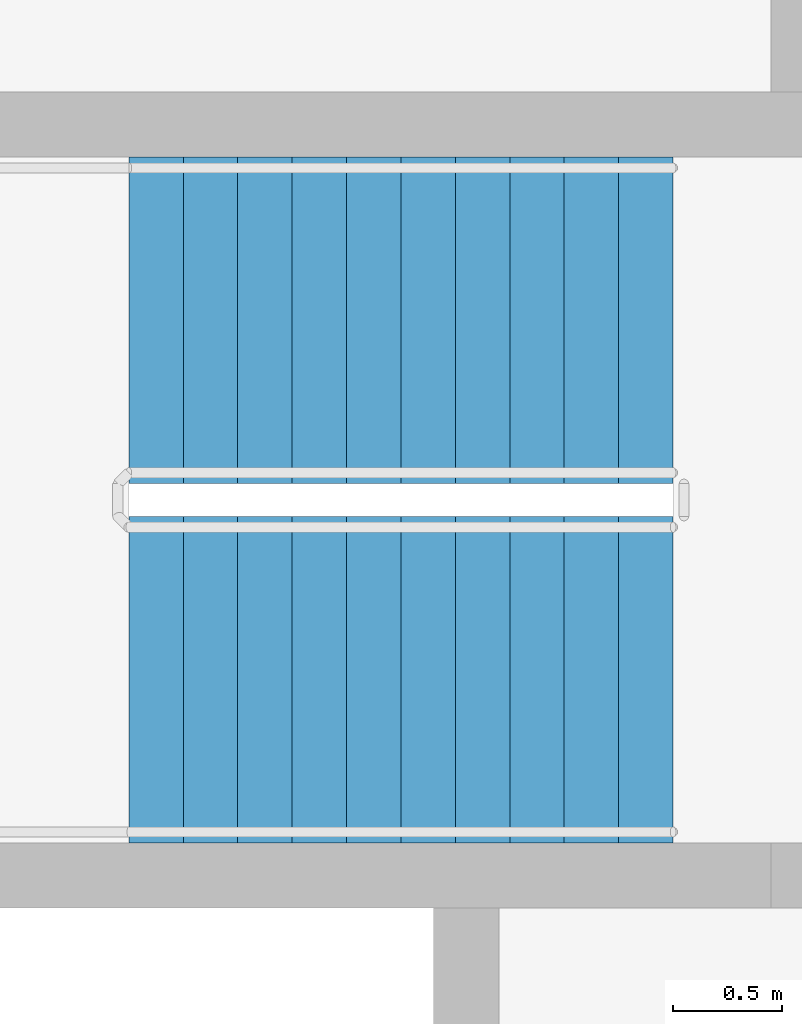
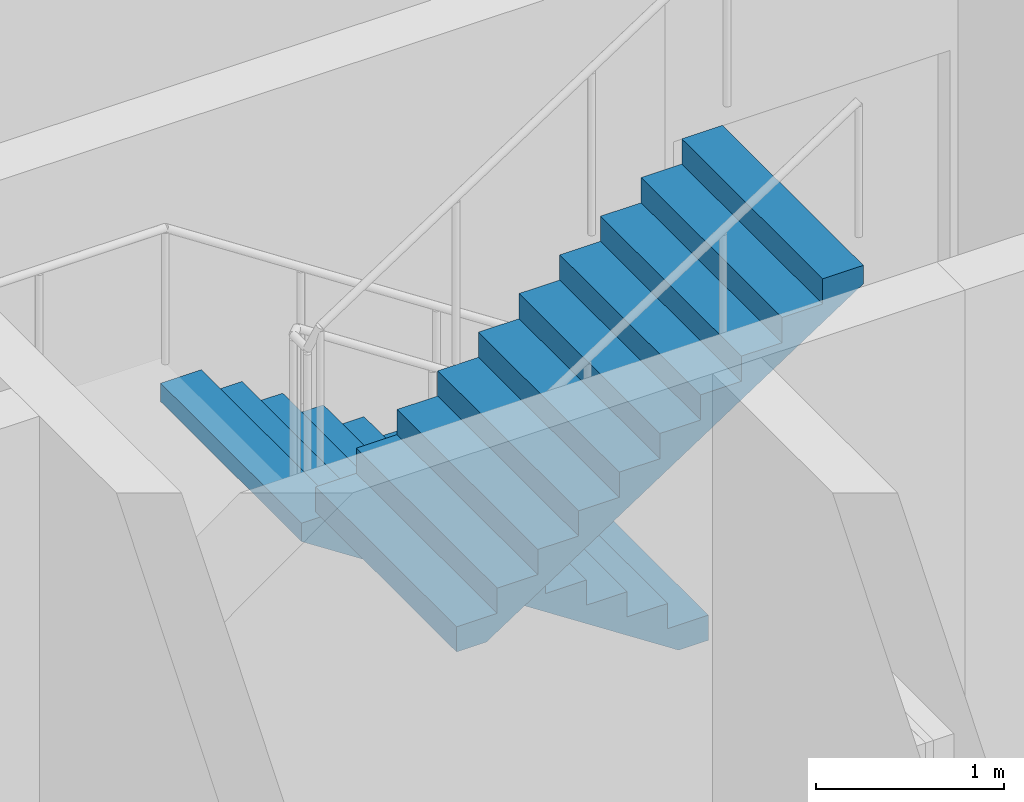
# One storey, part 9 of 10: 2 stair flights, 1 element without a shape of its own.
"""IFC4 building model written with IfcOpenShell, lengths in metres."""

from ifc_helpers import new_model, si_unit, direction, frame, origin, place, context, subcontext, project, spatial, polyline, outline, extrude, material, type_object, element, aggregate, save


model = new_model("IFC4")

# Units and contexts
model_context = context("Model", 3, precision=1e-05, world=origin(), true_north=direction((0.0, 1.0)))
body_context = subcontext(model_context, "Body", "Model", "MODEL_VIEW")
ifc_project = project(units=[si_unit("LENGTHUNIT", "METRE"), si_unit("AREAUNIT", "SQUARE_METRE"), si_unit("VOLUMEUNIT", "CUBIC_METRE"), si_unit("PLANEANGLEUNIT", "RADIAN"), si_unit("MASSUNIT", "GRAM", prefix="KILO")], contexts=[model_context])

# Site, building, storey
site_placement = place(None, origin())
site = spatial("IfcSite", under=ifc_project, at=site_placement, CompositionType="ELEMENT")
building_placement = place(site_placement, origin())
building = spatial("IfcBuilding", under=site, at=building_placement, Name="Tracery Tower", CompositionType="ELEMENT")
storey_placement = place(building_placement, frame((0.0, 0.0, 158.39990234375)))
storey = spatial("IfcBuildingStorey", under=building, at=storey_placement, Name="L40", CompositionType="ELEMENT", Elevation=158.39990234375)

# Stair, stair flights
ifc_material_1 = material(Name="Concrete C32/40", Category="concrete")
stair_type = type_object("IfcStairType", Name="Core stair 22 risers", PredefinedType="HALF_TURN_STAIR", material=ifc_material_1)
stair_placement = place(storey_placement, origin())
stair = element("IfcStair", 1, at=stair_placement, inside=storey, type_object=stair_type, Name="L40 stair ST3", PredefinedType="HALF_TURN_STAIR")
ifc_material_2 = material(Name="Concrete C32/40", Category="concrete")
stair_flight_type = type_object("IfcStairFlightType", Name="Core stair flight 11 risers", PredefinedType="STRAIGHT", material=ifc_material_2)
stair_flight_1_placement = place(storey_placement, frame((-4.800048828125, 5.64990234375, 0.0), z_axis=(0.0, 0.0, 1.0), x_axis=(-1.0, 0.0, 0.0)))
stair_flight_1 = element("IfcStairFlight", 2, at=stair_flight_1_placement, type_object=stair_flight_type, Name="ST3 flight 1", NumberOfRisers=11, NumberOfTreads=10, PredefinedType="STRAIGHT", RiserHeight=0.163636364, TreadLength=0.25, context=body_context, shape_type="SweptSolid", body=[
    extrude(outline(polyline([(0.0, 0.0), (0.0, 0.002685546875), (0.0, 0.00537109375), (0.0, 0.008056640625), (0.0, 0.0107421875), (0.0, 0.013427734375), (0.0, 0.01611328125), (0.0, 0.018798828125), (0.0, 0.021484375), (0.0, 0.024169921875), (0.0, 0.02685546875), (0.0, 0.029541015625), (0.0, 0.0322265625), (0.0, 0.034912109375), (0.0, 0.03759765625), (0.0, 0.040283203125), (0.0, 0.04296875), (0.0, 0.045654296875), (0.0, 0.04833984375), (0.0, 0.051025390625), (0.0, 0.0537109375), (0.0, 0.056396484375), (0.0, 0.05908203125), (0.0, 0.061767578125), (0.0, 0.064453125), (0.0, 0.067138671875), (0.0, 0.06982421875), (0.0, 0.072509765625), (0.0, 0.0751953125), (0.0, 0.077880859375), (0.0, 0.08056640625), (0.0, 0.083251953125), (0.0, 0.0859375), (0.0, 0.088623046875), (0.0, 0.09130859375), (0.0, 0.093994140625), (0.0, 0.0966796875), (0.0, 0.099365234375), (0.0, 0.10205078125), (0.0, 0.104736328125), (0.0, 0.107421875), (0.0, 0.10986328125), (0.0, 0.112548828125), (0.0, 0.115234375), (0.0, 0.117919921875), (0.0, 0.12060546875), (0.0, 0.123291015625), (0.0, 0.1259765625), (0.0, 0.128662109375), (0.0, 0.13134765625), (0.0, 0.134033203125), (0.0, 0.13671875), (0.0, 0.139404296875), (0.0, 0.14208984375), (0.0, 0.144775390625), (0.0, 0.1474609375), (0.0, 0.150146484375), (0.0, 0.15283203125), (0.0, 0.155517578125), (0.0, 0.158203125), (0.0, 0.160888671875), (0.0, 0.16357421875), (0.25, 0.16357421875), (0.25, 0.327392578125), (0.5, 0.327392578125), (0.5, 0.490966796875), (0.75, 0.490966796875), (0.75, 0.654541015625), (1.0, 0.654541015625), (1.0, 0.818115234375), (1.25, 0.818115234375), (1.25, 0.98193359375), (1.5, 0.98193359375), (1.5, 1.1455078125), (1.75, 1.1455078125), (1.75, 1.30908203125), (2.0, 1.30908203125), (2.0, 1.47265625), (2.25, 1.47265625), (2.25, 1.636474609375), (2.5, 1.636474609375), (2.5, 1.634521484375), (2.5, 1.63232421875), (2.5, 1.63037109375), (2.5, 1.62841796875), (2.5, 1.62646484375), (2.5, 1.62451171875), (2.5, 1.62255859375), (2.5, 1.62060546875), (2.5, 1.61865234375), (2.5, 1.61669921875), (2.5, 1.61474609375), (2.5, 1.61279296875), (2.5, 1.61083984375), (2.5, 1.60888671875), (2.5, 1.60693359375), (2.5, 1.60498046875), (2.5, 1.60302734375), (2.5, 1.60107421875), (2.5, 1.59912109375), (2.5, 1.59716796875), (2.5, 1.59521484375), (2.5, 1.59326171875), (2.5, 1.59130859375), (2.5, 1.58935546875), (2.5, 1.58740234375), (2.5, 1.58544921875), (2.5, 1.58349609375), (2.5, 1.58154296875), (2.5, 1.57958984375), (2.5, 1.57763671875), (2.5, 1.57568359375), (2.5, 1.573486328125), (2.5, 1.571533203125), (2.5, 1.569580078125), (2.5, 1.567626953125), (2.5, 1.565673828125), (2.5, 1.563720703125), (2.5, 1.561767578125), (2.5, 1.559814453125), (2.5, 1.557861328125), (2.5, 1.555908203125), (2.5, 1.553955078125), (2.5, 1.552001953125), (2.5, 1.550048828125), (2.5, 1.548095703125), (2.5, 1.546142578125), (2.5, 1.544189453125), (2.5, 1.542236328125), (2.5, 1.540283203125), (2.5, 1.538330078125), (2.5, 1.536376953125), (2.5, 1.534423828125), (2.5, 1.532470703125), (2.5, 1.530517578125), (2.5, 1.528564453125), (2.5, 1.526611328125), (2.5, 1.524658203125), (2.5, 1.522705078125), (2.5, 1.520751953125), (2.5, 1.518798828125), (2.5, 1.516845703125), (0.182861328125, 0.0), (0.0, 0.0)])), frame((0.0, 0.75, 0.0), z_axis=(0.0, -1.0, 0.0), x_axis=(1.0, 0.0, 0.0)), (0.0, 0.0, 1.0), 1.5),
])
stair_flight_2_placement = place(storey_placement, frame((-7.300048828125, 4.0, 1.800048828125), z_axis=(0.0, 0.0, 1.0), x_axis=(1.0, 0.0, 0.0)))
stair_flight_2 = element("IfcStairFlight", 3, at=stair_flight_2_placement, type_object=stair_flight_type, Name="ST3 flight 2", NumberOfRisers=11, NumberOfTreads=10, PredefinedType="STRAIGHT", RiserHeight=0.163636364, TreadLength=0.25, context=body_context, shape_type="SweptSolid", body=[
    extrude(outline(polyline([(0.0, 0.0), (0.0, 0.002685546875), (0.0, 0.00537109375), (0.0, 0.008056640625), (0.0, 0.0107421875), (0.0, 0.013427734375), (0.0, 0.01611328125), (0.0, 0.018798828125), (0.0, 0.021484375), (0.0, 0.024169921875), (0.0, 0.02685546875), (0.0, 0.029541015625), (0.0, 0.0322265625), (0.0, 0.034912109375), (0.0, 0.03759765625), (0.0, 0.040283203125), (0.0, 0.04296875), (0.0, 0.045654296875), (0.0, 0.04833984375), (0.0, 0.051025390625), (0.0, 0.0537109375), (0.0, 0.056396484375), (0.0, 0.05908203125), (0.0, 0.061767578125), (0.0, 0.064453125), (0.0, 0.067138671875), (0.0, 0.06982421875), (0.0, 0.072509765625), (0.0, 0.0751953125), (0.0, 0.077880859375), (0.0, 0.08056640625), (0.0, 0.083251953125), (0.0, 0.0859375), (0.0, 0.088623046875), (0.0, 0.09130859375), (0.0, 0.093994140625), (0.0, 0.0966796875), (0.0, 0.099365234375), (0.0, 0.10205078125), (0.0, 0.104736328125), (0.0, 0.107421875), (0.0, 0.10986328125), (0.0, 0.112548828125), (0.0, 0.115234375), (0.0, 0.117919921875), (0.0, 0.12060546875), (0.0, 0.123291015625), (0.0, 0.1259765625), (0.0, 0.128662109375), (0.0, 0.13134765625), (0.0, 0.134033203125), (0.0, 0.13671875), (0.0, 0.139404296875), (0.0, 0.14208984375), (0.0, 0.144775390625), (0.0, 0.1474609375), (0.0, 0.150146484375), (0.0, 0.15283203125), (0.0, 0.155517578125), (0.0, 0.158203125), (0.0, 0.160888671875), (0.0, 0.16357421875), (0.25, 0.16357421875), (0.25, 0.327392578125), (0.5, 0.327392578125), (0.5, 0.490966796875), (0.75, 0.490966796875), (0.75, 0.654541015625), (1.0, 0.654541015625), (1.0, 0.818115234375), (1.25, 0.818115234375), (1.25, 0.98193359375), (1.5, 0.98193359375), (1.5, 1.1455078125), (1.75, 1.1455078125), (1.75, 1.30908203125), (2.0, 1.30908203125), (2.0, 1.47265625), (2.25, 1.47265625), (2.25, 1.636474609375), (2.5, 1.636474609375), (2.5, 1.634521484375), (2.5, 1.63232421875), (2.5, 1.63037109375), (2.5, 1.62841796875), (2.5, 1.62646484375), (2.5, 1.62451171875), (2.5, 1.62255859375), (2.5, 1.62060546875), (2.5, 1.61865234375), (2.5, 1.61669921875), (2.5, 1.61474609375), (2.5, 1.61279296875), (2.5, 1.61083984375), (2.5, 1.60888671875), (2.5, 1.60693359375), (2.5, 1.60498046875), (2.5, 1.60302734375), (2.5, 1.60107421875), (2.5, 1.59912109375), (2.5, 1.59716796875), (2.5, 1.59521484375), (2.5, 1.59326171875), (2.5, 1.59130859375), (2.5, 1.58935546875), (2.5, 1.58740234375), (2.5, 1.58544921875), (2.5, 1.58349609375), (2.5, 1.58154296875), (2.5, 1.57958984375), (2.5, 1.57763671875), (2.5, 1.57568359375), (2.5, 1.573486328125), (2.5, 1.571533203125), (2.5, 1.569580078125), (2.5, 1.567626953125), (2.5, 1.565673828125), (2.5, 1.563720703125), (2.5, 1.561767578125), (2.5, 1.559814453125), (2.5, 1.557861328125), (2.5, 1.555908203125), (2.5, 1.553955078125), (2.5, 1.552001953125), (2.5, 1.550048828125), (2.5, 1.548095703125), (2.5, 1.546142578125), (2.5, 1.544189453125), (2.5, 1.542236328125), (2.5, 1.540283203125), (2.5, 1.538330078125), (2.5, 1.536376953125), (2.5, 1.534423828125), (2.5, 1.532470703125), (2.5, 1.530517578125), (2.5, 1.528564453125), (2.5, 1.526611328125), (2.5, 1.524658203125), (2.5, 1.522705078125), (2.5, 1.520751953125), (2.5, 1.518798828125), (2.5, 1.516845703125), (0.182861328125, 0.0), (0.0, 0.0)])), frame((0.0, 0.75, 0.0), z_axis=(0.0, -1.0, 0.0), x_axis=(1.0, 0.0, 0.0)), (0.0, 0.0, 1.0), 1.5),
])
aggregate(stair, [stair_flight_1, stair_flight_2])

save(model, "model.ifc")
